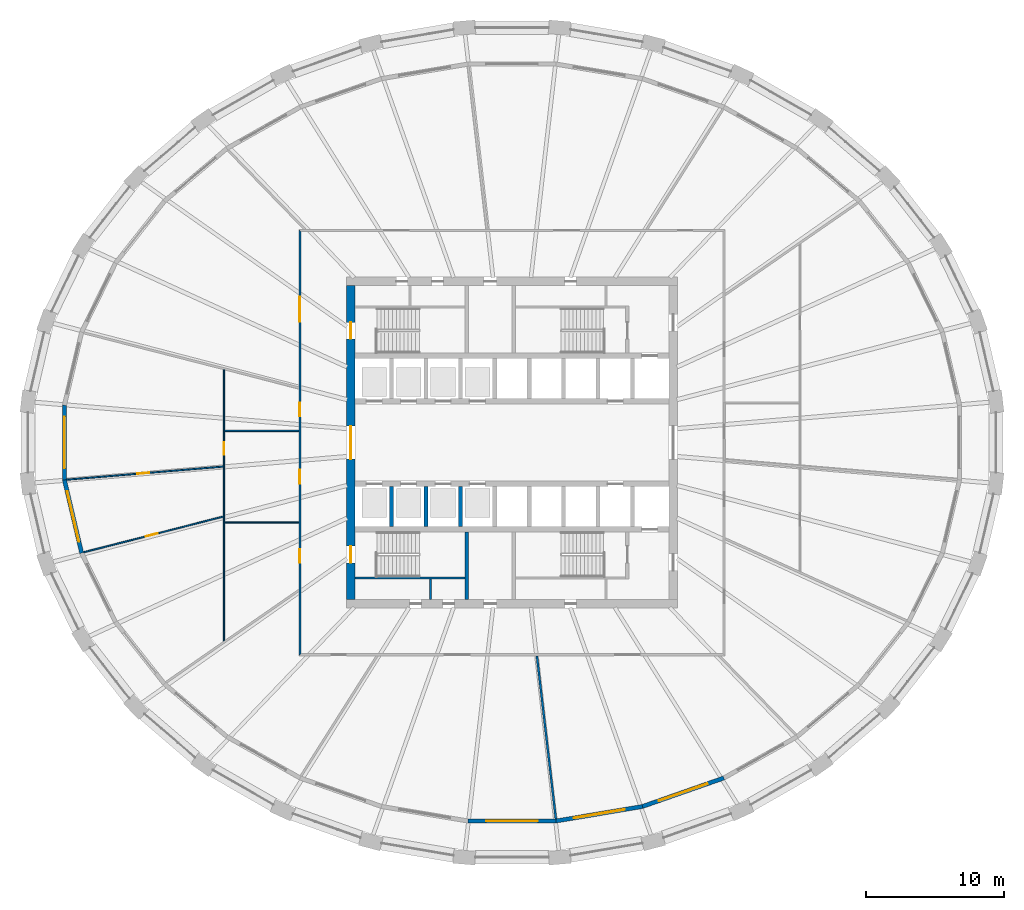
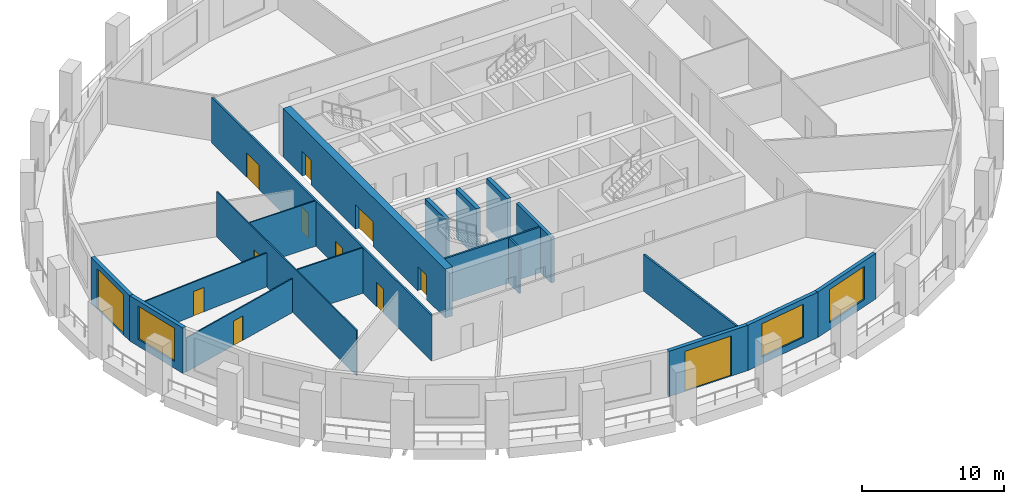
# One storey, part 3 of 10: 19 walls, 12 doors, 3 windows, 15 openings.
"""IFC4 building model written with IfcOpenShell, lengths in metres."""

from ifc_helpers import new_model, si_unit, direction, frame, frame_2d, origin, place, context, subcontext, project, spatial, polyline, rectangle, outline, extrude, material, layer, layer_set, type_object, element, fill, save


model = new_model("IFC4")

# Units and contexts
model_context = context("Model", 3, precision=1e-05, world=origin(), true_north=direction((0.0, 1.0)))
body_context = subcontext(model_context, "Body", "Model", "MODEL_VIEW")
ifc_project = project(units=[si_unit("LENGTHUNIT", "METRE"), si_unit("AREAUNIT", "SQUARE_METRE"), si_unit("VOLUMEUNIT", "CUBIC_METRE"), si_unit("PLANEANGLEUNIT", "RADIAN"), si_unit("MASSUNIT", "GRAM", prefix="KILO")], contexts=[model_context])

# Site, building, storey
site_placement = place(None, origin())
site = spatial("IfcSite", under=ifc_project, at=site_placement, CompositionType="ELEMENT")
building_placement = place(site_placement, origin())
building = spatial("IfcBuilding", under=site, at=building_placement, Name="Halqa Exchange Tower", CompositionType="ELEMENT")
storey_placement = place(building_placement, frame((0.0, 0.0, 108.699951171875)))
storey = spatial("IfcBuildingStorey", under=building, at=storey_placement, Name="L24", CompositionType="ELEMENT", Elevation=108.699951171875)

# Wall, openings, doors
ifc_material_1 = material(Name="Fire-rated gypsum board")
ifc_layer_1 = layer(ifc_material_1, 0.14990234375)
ifc_layer_set_1 = layer_set([ifc_layer_1], Name="Fire-rated gypsum board")
wall_type_1 = type_object("IfcWallType", Name="Fire partition EI 60 150", PredefinedType="PARTITIONING", material=ifc_layer_set_1)
wall_1_placement = place(storey_placement, frame((-15.39990234375, -15.47509765625, 0.0), z_axis=(0.0, 0.0, 1.0), x_axis=(0.0, 1.0, 0.0)))
wall_1 = element("IfcWall", 1, at=wall_1_placement, inside=storey, type_object=wall_type_1, Name="L24-PWL-008", PredefinedType="PARTITIONING", context=body_context, shape_type="SweptSolid", body=[
    extrude(outline(polyline([(0.150146484375, -0.074951171875), (2.065673828125, -0.074951171875), (3.9814453125, -0.074951171875), (5.89697265625, -0.074951171875), (7.8125, -0.074951171875), (9.728271484375, -0.074951171875), (11.643798828125, -0.074951171875), (13.5595703125, -0.074951171875), (15.47509765625, -0.074951171875), (17.390625, -0.074951171875), (19.306396484375, -0.074951171875), (21.221923828125, -0.074951171875), (23.1376953125, -0.074951171875), (25.05322265625, -0.074951171875), (26.96875, -0.074951171875), (28.884521484375, -0.074951171875), (30.800048828125, -0.074951171875), (30.949951171875, 0.074951171875), (29.015625, 0.074951171875), (27.081298828125, 0.074951171875), (25.14697265625, 0.074951171875), (23.21240234375, 0.074951171875), (21.278076171875, 0.074951171875), (19.34375, 0.074951171875), (17.409423828125, 0.074951171875), (15.47509765625, 0.074951171875), (13.540771484375, 0.074951171875), (11.6064453125, 0.074951171875), (9.672119140625, 0.074951171875), (7.73779296875, 0.074951171875), (5.80322265625, 0.074951171875), (3.868896484375, 0.074951171875), (1.9345703125, 0.074951171875), (0.000244140625, 0.074951171875), (0.150146484375, -0.074951171875)])), origin(), (0.0, 0.0, 1.0), 3.900146484375),
])
opening_1_placement = place(wall_1_placement, frame((24.25, 0.0, 0.0)))
opening_1 = element("IfcOpeningElement", 2, at=opening_1_placement, cuts=wall_1, Name="Opening 07-04", PredefinedType="OPENING", context=body_context, shape_type="SweptSolid", body=[
    extrude(rectangle(XDim=1.800048828125, YDim=2.10009765625, at=frame_2d((0.89990234375, 1.050048828125))), frame((0.0, 0.0869140625, 0.0), z_axis=(0.0, -1.0, 0.0), x_axis=(1.0, 0.0, 0.0)), (0.0, 0.0, 1.0), 0.173828125),
])
opening_2_placement = place(wall_1_placement, frame((6.735107421875, 0.0, 0.0)))
opening_2 = element("IfcOpeningElement", 3, at=opening_2_placement, cuts=wall_1, Name="Opening 07-05", PredefinedType="OPENING", context=body_context, shape_type="SweptSolid", body=[
    extrude(rectangle(XDim=1.0, YDim=2.10009765625, at=frame_2d((0.5, 1.050048828125))), frame((0.0, 0.0869140625, 0.0), z_axis=(0.0, -1.0, 0.0), x_axis=(1.0, 0.0, 0.0)), (0.0, 0.0, 1.0), 0.173828125),
])
opening_3_placement = place(wall_1_placement, frame((12.5, 0.0, 0.0)))
opening_3 = element("IfcOpeningElement", 4, at=opening_3_placement, cuts=wall_1, Name="Opening 07-06", PredefinedType="OPENING", context=body_context, shape_type="SweptSolid", body=[
    extrude(rectangle(XDim=1.0, YDim=2.10009765625, at=frame_2d((0.5, 1.050048828125))), frame((0.0, 0.0869140625, 0.0), z_axis=(0.0, -1.0, 0.0), x_axis=(1.0, 0.0, 0.0)), (0.0, 0.0, 1.0), 0.173828125),
])
opening_4_placement = place(wall_1_placement, frame((17.375, 0.0, 0.0)))
opening_4 = element("IfcOpeningElement", 5, at=opening_4_placement, cuts=wall_1, Name="Opening 07-07", PredefinedType="OPENING", context=body_context, shape_type="SweptSolid", body=[
    extrude(rectangle(XDim=1.0, YDim=2.10009765625, at=frame_2d((0.5, 1.050048828125))), frame((0.0, 0.0869140625, 0.0), z_axis=(0.0, -1.0, 0.0), x_axis=(1.0, 0.0, 0.0)), (0.0, 0.0, 1.0), 0.173828125),
])
ifc_material_2 = material(Name="Steel fire door leaf", Category="steel")
door_type_1 = type_object("IfcDoorType", Name="Fire door FD30S 1000 x 2100", OperationType="SINGLE_SWING_LEFT", PredefinedType="DOOR", material=ifc_material_2)
door_1_placement = place(opening_2_placement, origin())
door_1 = element("IfcDoor", 6, at=door_1_placement, inside=storey, type_object=door_type_1, Name="L24-IDR-005", OperationType="SINGLE_SWING_RIGHT", OverallHeight=2.10009765625, OverallWidth=1.0, PredefinedType="DOOR", context=body_context, shape_type="SweptSolid", body=[
    extrude(rectangle(XDim=1.0, YDim=2.10009765625, at=frame_2d((0.5, 1.050048828125))), frame((0.0, 0.02490234375, 0.0), z_axis=(0.0, -1.0, 0.0), x_axis=(1.0, 0.0, 0.0)), (0.0, 0.0, 1.0), 0.050048828125),
])
fill(opening_2, door_1)
door_2_placement = place(opening_3_placement, origin())
door_2 = element("IfcDoor", 7, at=door_2_placement, inside=storey, type_object=door_type_1, Name="L24-IDR-006", OperationType="SINGLE_SWING_RIGHT", OverallHeight=2.10009765625, OverallWidth=1.0, PredefinedType="DOOR", context=body_context, shape_type="SweptSolid", body=[
    extrude(rectangle(XDim=1.0, YDim=2.10009765625, at=frame_2d((0.5, 1.050048828125))), frame((0.0, 0.02490234375, 0.0), z_axis=(0.0, -1.0, 0.0), x_axis=(1.0, 0.0, 0.0)), (0.0, 0.0, 1.0), 0.050048828125),
])
fill(opening_3, door_2)
door_3_placement = place(opening_4_placement, origin())
door_3 = element("IfcDoor", 8, at=door_3_placement, inside=storey, type_object=door_type_1, Name="L24-IDR-007", OperationType="SINGLE_SWING_RIGHT", OverallHeight=2.10009765625, OverallWidth=1.0, PredefinedType="DOOR", context=body_context, shape_type="SweptSolid", body=[
    extrude(rectangle(XDim=1.0, YDim=2.10009765625, at=frame_2d((0.5, 1.050048828125))), frame((0.0, 0.02490234375, 0.0), z_axis=(0.0, -1.0, 0.0), x_axis=(1.0, 0.0, 0.0)), (0.0, 0.0, 1.0), 0.050048828125),
])
fill(opening_4, door_3)
door_type_2 = type_object("IfcDoorType", Name="Fire door FD30S double 1800 x 2100", OperationType="DOUBLE_DOOR_SINGLE_SWING", PredefinedType="DOOR", material=ifc_material_2)
door_4_placement = place(opening_1_placement, origin())
door_4 = element("IfcDoor", 9, at=door_4_placement, inside=storey, type_object=door_type_2, Name="L24-IDR-004", OperationType="DOUBLE_DOOR_SINGLE_SWING", OverallHeight=2.10009765625, OverallWidth=1.800048828125, PredefinedType="DOOR", context=body_context, shape_type="SweptSolid", body=[
    extrude(rectangle(XDim=1.800048828125, YDim=2.10009765625, at=frame_2d((0.89990234375, 1.050048828125))), frame((0.0, 0.02490234375, 0.0), z_axis=(0.0, -1.0, 0.0), x_axis=(1.0, 0.0, 0.0)), (0.0, 0.0, 1.0), 0.050048828125),
])
fill(opening_1, door_4)

# Wall
wall_2_placement = place(storey_placement, frame((1.8076171875, -15.466552734375, 0.0), z_axis=(0.0, 0.0, 1.0), x_axis=(0.115425226741, -0.993316171736, 0.0)))
element("IfcWall", 10, at=wall_2_placement, inside=storey, type_object=wall_type_1, Name="L24-PWL-014", PredefinedType="PARTITIONING", context=body_context, shape_type="SweptSolid", body=[
    extrude(outline(polyline([(0.0, -0.074951171875), (1.98681640625, -0.074951171875), (3.973388671875, -0.074951171875), (5.960205078125, -0.074951171875), (7.947021484375, -0.074951171875), (9.93359375, -0.074951171875), (11.92041015625, -0.074951171875), (11.925048828125, -0.03466796875), (11.925048828125, 0.074951171875), (9.9404296875, 0.074951171875), (7.955810546875, 0.074951171875), (5.97119140625, 0.074951171875), (3.986572265625, 0.074951171875), (2.001953125, 0.074951171875), (0.017333984375, 0.074951171875), (0.0, -0.0732421875), (0.0, -0.074951171875)])), origin(), (0.0, 0.0, 1.0), 3.14697265625),
])

# Wall, opening, door
ifc_material_3 = material(Name="Gypsum board")
ifc_layer_2 = layer(ifc_material_3, 0.10009765625)
ifc_layer_set_2 = layer_set([ifc_layer_2], Name="Gypsum board")
wall_type_2 = type_object("IfcWallType", Name="Partition 100 gypsum", PredefinedType="PARTITIONING", material=ifc_layer_set_2)
wall_3_placement = place(storey_placement, frame((-20.89990234375, -14.43359375, 0.0), z_axis=(0.0, 0.0, 1.0), x_axis=(0.0, 1.0, 0.0)))
wall_3 = element("IfcWall", 11, at=wall_3_placement, inside=storey, type_object=wall_type_2, Name="L24-PWL-003", PredefinedType="PARTITIONING", context=body_context, shape_type="SweptSolid", body=[
    extrude(outline(polyline([(0.0693359375, -0.050048828125), (1.772216796875, -0.050048828125), (3.47509765625, -0.050048828125), (5.177978515625, -0.050048828125), (6.880859375, -0.050048828125), (8.58349609375, -0.050048828125), (8.58349609375, -0.0498046875), (8.68359375, -0.0498046875), (8.68359375, -0.050048828125), (10.321044921875, -0.050048828125), (11.95849609375, -0.050048828125), (13.59619140625, -0.050048828125), (15.233642578125, -0.050048828125), (15.233642578125, -0.0498046875), (15.33349609375, -0.0498046875), (15.33349609375, -0.050048828125), (16.789306640625, -0.050048828125), (18.2451171875, -0.050048828125), (19.701171875, -0.050048828125), (19.7265625, 0.049560546875), (19.7265625, 0.050048828125), (17.941650390625, 0.050048828125), (16.156494140625, 0.050048828125), (14.37158203125, 0.050048828125), (12.586669921875, 0.050048828125), (10.801513671875, 0.050048828125), (9.0166015625, 0.050048828125), (9.009765625, 0.04833984375), (9.00927734375, 0.050048828125), (7.20751953125, 0.050048828125), (5.405517578125, 0.050048828125), (3.603759765625, 0.050048828125), (1.8017578125, 0.050048828125), (0.0, 0.050048828125), (0.0693359375, -0.050048828125)])), origin(), (0.0, 0.0, 1.0), 3.900146484375),
])
opening_5_placement = place(wall_3_placement, frame((13.53857421875, 0.0, 0.0)))
opening_5 = element("IfcOpeningElement", 12, at=opening_5_placement, cuts=wall_3, Name="Opening 07-15", PredefinedType="OPENING", context=body_context, shape_type="SweptSolid", body=[
    extrude(rectangle(XDim=0.89990234375, YDim=2.10009765625, at=frame_2d((0.449951171875, 1.050048828125))), frame((0.0, 0.06201171875, 0.0), z_axis=(0.0, -1.0, 0.0), x_axis=(1.0, 0.0, 0.0)), (0.0, 0.0, 1.0), 0.1240234375),
])
ifc_material_4 = material(Name="Timber door leaf", Category="wood")
door_type_3 = type_object("IfcDoorType", Name="Door 900 x 2100", OperationType="SINGLE_SWING_LEFT", PredefinedType="DOOR", material=ifc_material_4)
door_5_placement = place(opening_5_placement, frame((0.89990234375, 0.0, 0.0), z_axis=(0.0, 0.0, 1.0), x_axis=(-1.0, 0.0, 0.0)))
door_5 = element("IfcDoor", 13, at=door_5_placement, inside=storey, type_object=door_type_3, Name="L24-IDR-015", OperationType="SINGLE_SWING_RIGHT", OverallHeight=2.10009765625, OverallWidth=0.89990234375, PredefinedType="DOOR", context=body_context, shape_type="SweptSolid", body=[
    extrude(rectangle(XDim=0.89990234375, YDim=2.10009765625, at=frame_2d((0.449951171875, 1.050048828125))), frame((0.0, 0.02490234375, 0.0), z_axis=(0.0, -1.0, 0.0), x_axis=(1.0, 0.0, 0.0)), (0.0, 0.0, 1.0), 0.050048828125),
])
fill(opening_5, door_5)

# Wall
wall_4_placement = place(storey_placement, frame((-20.85009765625, -5.800048828125, 0.0), z_axis=(0.0, 0.0, 1.0), x_axis=(1.0, 0.0, 0.0)))
element("IfcWall", 14, at=wall_4_placement, inside=storey, type_object=wall_type_2, Name="L24-PWL-004", PredefinedType="PARTITIONING", context=body_context, shape_type="SweptSolid", body=[
    extrude(rectangle(XDim=5.375, YDim=0.10009765625, at=frame_2d((2.6875, 0.0))), origin(), (0.0, 0.0, 1.0), 3.900146484375),
])

# Wall, opening, door
wall_5_placement = place(storey_placement, frame((-20.937744140625, -5.36962890625, 0.0), z_axis=(0.0, 0.0, 1.0), x_axis=(-0.968822345516, -0.247756458702, 0.0)))
wall_5 = element("IfcWall", 15, at=wall_5_placement, inside=storey, type_object=wall_type_2, Name="L24-PWL-005", PredefinedType="PARTITIONING", context=body_context, shape_type="SweptSolid", body=[
    extrude(outline(polyline([(10.478759765625, -0.050048828125), (10.478759765625, 0.00732421875), (10.469970703125, 0.050048828125), (8.72900390625, 0.050048828125), (6.98828125, 0.050048828125), (5.24755859375, 0.050048828125), (3.5068359375, 0.050048828125), (1.76611328125, 0.050048828125), (0.025390625, 0.050048828125), (0.0, -0.049560546875), (0.0, -0.050048828125), (1.74658203125, -0.050048828125), (3.492919921875, -0.050048828125), (5.2392578125, -0.050048828125), (6.98583984375, -0.050048828125), (8.732421875, -0.050048828125), (10.478759765625, -0.050048828125)])), origin(), (0.0, 0.0, 1.0), 2.91015625),
])
opening_6_placement = place(wall_5_placement, frame((4.919677734375, 0.0, 0.0)))
opening_6 = element("IfcOpeningElement", 16, at=opening_6_placement, cuts=wall_5, Name="Opening 07-17", PredefinedType="OPENING", context=body_context, shape_type="SweptSolid", body=[
    extrude(rectangle(XDim=0.89990234375, YDim=2.10009765625, at=frame_2d((0.449951171875, 1.050048828125))), frame((0.0, 0.06201171875, 0.0), z_axis=(0.0, -1.0, 0.0), x_axis=(1.0, 0.0, 0.0)), (0.0, 0.0, 1.0), 0.1240234375),
])
door_6_placement = place(opening_6_placement, frame((0.89990234375, 0.0, 0.0), z_axis=(0.0, 0.0, 1.0), x_axis=(-1.0, 0.0, 0.0)))
door_6 = element("IfcDoor", 17, at=door_6_placement, inside=storey, type_object=door_type_3, Name="L24-IDR-017", OperationType="SINGLE_SWING_RIGHT", OverallHeight=2.10009765625, OverallWidth=0.89990234375, PredefinedType="DOOR", context=body_context, shape_type="SweptSolid", body=[
    extrude(rectangle(XDim=0.89990234375, YDim=2.10009765625, at=frame_2d((0.449951171875, 1.050048828125))), frame((0.0, 0.02490234375, 0.0), z_axis=(0.0, -1.0, 0.0), x_axis=(1.0, 0.0, 0.0)), (0.0, 0.0, 1.0), 0.050048828125),
])
fill(opening_6, door_6)

wall_6_placement = place(storey_placement, frame((-20.94580078125, -1.743896484375, 0.0), z_axis=(0.0, 0.0, 1.0), x_axis=(-0.996528638139, -0.083250665871, 0.0)))
wall_6 = element("IfcWall", 18, at=wall_6_placement, inside=storey, type_object=wall_type_2, Name="L24-PWL-006", PredefinedType="PARTITIONING", context=body_context, shape_type="SweptSolid", body=[
    extrude(outline(polyline([(11.42236328125, -0.050048828125), (11.42236328125, 0.0234375), (11.41845703125, 0.050048828125), (9.5166015625, 0.050048828125), (7.614990234375, 0.050048828125), (5.71337890625, 0.050048828125), (3.811767578125, 0.050048828125), (1.91015625, 0.050048828125), (0.00830078125, 0.050048828125), (0.0, -0.050048828125), (1.90380859375, -0.050048828125), (3.807373046875, -0.050048828125), (5.711181640625, -0.050048828125), (7.614990234375, -0.050048828125), (9.5185546875, -0.050048828125), (11.42236328125, -0.050048828125)])), origin(), (0.0, 0.0, 1.0), 2.91015625),
])
opening_7_placement = place(wall_6_placement, frame((5.389404296875, 0.0, 0.0)))
opening_7 = element("IfcOpeningElement", 19, at=opening_7_placement, cuts=wall_6, Name="Opening 07-16", PredefinedType="OPENING", context=body_context, shape_type="SweptSolid", body=[
    extrude(rectangle(XDim=0.89990234375, YDim=2.10009765625, at=frame_2d((0.449951171875, 1.050048828125))), frame((0.0, 0.06201171875, 0.0), z_axis=(0.0, -1.0, 0.0), x_axis=(1.0, 0.0, 0.0)), (0.0, 0.0, 1.0), 0.1240234375),
])
door_7_placement = place(opening_7_placement, origin())
door_7 = element("IfcDoor", 20, at=door_7_placement, inside=storey, type_object=door_type_3, Name="L24-IDR-016", OperationType="SINGLE_SWING_LEFT", OverallHeight=2.10009765625, OverallWidth=0.89990234375, PredefinedType="DOOR", context=body_context, shape_type="SweptSolid", body=[
    extrude(rectangle(XDim=0.89990234375, YDim=2.10009765625, at=frame_2d((0.449951171875, 1.050048828125))), frame((0.0, 0.02490234375, 0.0), z_axis=(0.0, -1.0, 0.0), x_axis=(1.0, 0.0, 0.0)), (0.0, 0.0, 1.0), 0.050048828125),
])
fill(opening_7, door_7)

# Walls
wall_7_placement = place(storey_placement, frame((-20.85009765625, 0.85009765625, 0.0), z_axis=(0.0, 0.0, 1.0), x_axis=(1.0, 0.0, 0.0)))
element("IfcWall", 21, at=wall_7_placement, inside=storey, type_object=wall_type_2, Name="L24-PWL-007", PredefinedType="PARTITIONING", context=body_context, shape_type="SweptSolid", body=[
    extrude(rectangle(XDim=5.375, YDim=0.10009765625, at=frame_2d((2.6875, 0.0))), origin(), (0.0, 0.0, 1.0), 3.900146484375),
])
ifc_layer_3 = layer(ifc_material_3, 0.14990234375)
ifc_layer_set_3 = layer_set([ifc_layer_3], Name="Gypsum board")
wall_type_3 = type_object("IfcWallType", Name="Penthouse riser wall 150 gypsum", PredefinedType="PARTITIONING", material=ifc_layer_set_3)
wall_8_placement = place(storey_placement, frame((-5.925048828125, -11.39990234375, 0.0), z_axis=(0.0, 0.0, 1.0), x_axis=(0.0, 1.0, 0.0)))
element("IfcWall", 22, at=wall_8_placement, inside=storey, type_object=wall_type_3, Name="Partition W5.925 S", PredefinedType="PARTITIONING", context=body_context, shape_type="SweptSolid", body=[
    extrude(rectangle(XDim=1.5, YDim=0.14990234375, at=frame_2d((0.75, 0.0))), origin(), (0.0, 0.0, 1.0), 3.900146484375),
])
ifc_material_5 = material(Name="Concrete C60/75", Category="concrete")
ifc_layer_4 = layer(ifc_material_5, 0.300048828125)
ifc_layer_set_4 = layer_set([ifc_layer_4], Name="Concrete C60/75")
wall_type_4 = type_object("IfcWallType", Name="RC core wall 300", PredefinedType="SHEAR", material=ifc_layer_set_4)
for number, where, z_axis, x_axis, name in (
    (23, (-8.75, -6.10009765625, 0.0), (0.0, 0.0, 1.0), (0.0, 1.0, 0.0), "Shaft divider S1"),
    (24, (-6.25, -6.10009765625, 0.0), (0.0, 0.0, 1.0), (0.0, 1.0, 0.0), "Shaft divider S2"),
    (25, (-3.75, -6.10009765625, 0.0), (0.0, 0.0, 1.0), (0.0, 1.0, 0.0), "Shaft divider S3"),
):
    element("IfcWall", number, at=place(storey_placement, frame(where, z_axis=z_axis, x_axis=x_axis)), inside=storey, type_object=wall_type_4, Name=name, PredefinedType="SHEAR", context=body_context, shape_type="SweptSolid", body=[
        extrude(rectangle(XDim=2.900146484375, YDim=0.300048828125, at=frame_2d((1.4501953125, 0.0))), origin(), (0.0, 0.0, 1.0), 4.199951171875),
    ])

# Wall, openings, doors
ifc_material_6 = material(Name="Concrete C70/85", Category="concrete")
ifc_layer_5 = layer(ifc_material_6, 0.60009765625)
ifc_layer_set_5 = layer_set([ifc_layer_5], Name="Concrete C70/85")
wall_type_5 = type_object("IfcWallType", Name="RC core wall 600 C70/85", PredefinedType="SHEAR", material=ifc_layer_set_5)
wall_9_placement = place(storey_placement, frame((-11.699951171875, -11.39990234375, 0.0), z_axis=(0.0, 0.0, 1.0), x_axis=(0.0, 1.0, 0.0)))
wall_9 = element("IfcWall", 26, at=wall_9_placement, inside=storey, type_object=wall_type_5, Name="Core wall west", PredefinedType="SHEAR", context=body_context, shape_type="SweptSolid", body=[
    extrude(rectangle(XDim=22.7998046875, YDim=0.60009765625, at=frame_2d((11.39990234375, 0.0))), origin(), (0.0, 0.0, 1.0), 4.199951171875),
])
opening_8_placement = place(wall_9_placement, frame((10.199951171875, 0.0, 0.0)))
opening_8 = element("IfcOpeningElement", 27, at=opening_8_placement, cuts=wall_9, Name="Opening T07-C13", PredefinedType="OPENING", context=body_context, shape_type="SweptSolid", body=[
    extrude(rectangle(XDim=2.39990234375, YDim=2.10009765625, at=frame_2d((1.199951171875, 1.050048828125))), frame((0.0, 0.31201171875, 0.0), z_axis=(0.0, -1.0, 0.0), x_axis=(1.0, 0.0, 0.0)), (0.0, 0.0, 1.0), 0.6240234375),
])
opening_9_placement = place(wall_9_placement, frame((18.925048828125, 0.0, 0.0)))
opening_9 = element("IfcOpeningElement", 28, at=opening_9_placement, cuts=wall_9, Name="Opening T07-C15", PredefinedType="OPENING", context=body_context, shape_type="SweptSolid", body=[
    extrude(rectangle(XDim=1.199951171875, YDim=2.10009765625, at=frame_2d((0.60009765625, 1.050048828125))), frame((0.0, 0.31201171875, 0.0), z_axis=(0.0, -1.0, 0.0), x_axis=(1.0, 0.0, 0.0)), (0.0, 0.0, 1.0), 0.6240234375),
])
opening_10_placement = place(wall_9_placement, frame((2.675048828125, 0.0, 0.0)))
opening_10 = element("IfcOpeningElement", 29, at=opening_10_placement, cuts=wall_9, Name="Opening T07-C17", PredefinedType="OPENING", context=body_context, shape_type="SweptSolid", body=[
    extrude(rectangle(XDim=1.199951171875, YDim=2.10009765625, at=frame_2d((0.60009765625, 1.050048828125))), frame((0.0, 0.31201171875, 0.0), z_axis=(0.0, -1.0, 0.0), x_axis=(1.0, 0.0, 0.0)), (0.0, 0.0, 1.0), 0.6240234375),
])
door_type_4 = type_object("IfcDoorType", Name="Lobby double door FD60 2400 x 2100", OperationType="DOUBLE_DOOR_SINGLE_SWING", PredefinedType="DOOR", material=ifc_material_2)
door_8_placement = place(opening_8_placement, frame((2.39990234375, 0.0, 0.0), z_axis=(0.0, 0.0, 1.0), x_axis=(-1.0, 0.0, 0.0)))
door_8 = element("IfcDoor", 30, at=door_8_placement, inside=storey, type_object=door_type_4, Name="Lift lobby double door", OperationType="DOUBLE_DOOR_SINGLE_SWING", OverallHeight=2.10009765625, OverallWidth=2.39990234375, PredefinedType="DOOR", context=body_context, shape_type="SweptSolid", body=[
    extrude(rectangle(XDim=2.39990234375, YDim=2.10009765625, at=frame_2d((1.199951171875, 1.050048828125))), frame((0.0, 0.02490234375, 0.0), z_axis=(0.0, -1.0, 0.0), x_axis=(1.0, 0.0, 0.0)), (0.0, 0.0, 1.0), 0.050048828125),
])
fill(opening_8, door_8)
door_type_5 = type_object("IfcDoorType", Name="Stair door FD90 1200 x 2100", OperationType="SINGLE_SWING_LEFT", PredefinedType="DOOR", material=ifc_material_2)
door_9_placement = place(opening_9_placement, frame((1.199951171875, 0.0, 0.0), z_axis=(0.0, 0.0, 1.0), x_axis=(-1.0, 0.0, 0.0)))
door_9 = element("IfcDoor", 31, at=door_9_placement, inside=storey, type_object=door_type_5, Name="Stair door ST1", OperationType="SINGLE_SWING_LEFT", OverallHeight=2.10009765625, OverallWidth=1.199951171875, PredefinedType="DOOR", context=body_context, shape_type="SweptSolid", body=[
    extrude(rectangle(XDim=1.199951171875, YDim=2.10009765625, at=frame_2d((0.60009765625, 1.050048828125))), frame((0.0, 0.02490234375, 0.0), z_axis=(0.0, -1.0, 0.0), x_axis=(1.0, 0.0, 0.0)), (0.0, 0.0, 1.0), 0.050048828125),
])
fill(opening_9, door_9)
door_10_placement = place(opening_10_placement, frame((1.199951171875, 0.0, 0.0), z_axis=(0.0, 0.0, 1.0), x_axis=(-1.0, 0.0, 0.0)))
door_10 = element("IfcDoor", 32, at=door_10_placement, inside=storey, type_object=door_type_5, Name="Stair door ST3", OperationType="SINGLE_SWING_LEFT", OverallHeight=2.10009765625, OverallWidth=1.199951171875, PredefinedType="DOOR", context=body_context, shape_type="SweptSolid", body=[
    extrude(rectangle(XDim=1.199951171875, YDim=2.10009765625, at=frame_2d((0.60009765625, 1.050048828125))), frame((0.0, 0.02490234375, 0.0), z_axis=(0.0, -1.0, 0.0), x_axis=(1.0, 0.0, 0.0)), (0.0, 0.0, 1.0), 0.050048828125),
])
fill(opening_10, door_10)

# Walls
ifc_material_7 = material(Name="Concrete C30/37", Category="concrete")
ifc_layer_6 = layer(ifc_material_7, 0.14990234375)
ifc_layer_set_6 = layer_set([ifc_layer_6], Name="Concrete C30/37")
wall_type_6 = type_object("IfcWallType", Name="RC stair wall 150 C30/37", PredefinedType="SHEAR", material=ifc_layer_set_6)
wall_10_placement = place(storey_placement, frame((-11.39990234375, -9.824951171875, 0.0), z_axis=(0.0, 0.0, 1.0), x_axis=(1.0, 0.0, 0.0)))
element("IfcWall", 33, at=wall_10_placement, inside=storey, type_object=wall_type_6, Name="Stair ST1 north wall S", PredefinedType="SHEAR", context=body_context, shape_type="SweptSolid", body=[
    extrude(rectangle(XDim=8.0, YDim=0.14990234375, at=frame_2d((4.0, 0.0))), origin(), (0.0, 0.0, 1.0), 3.900146484375),
])
ifc_layer_7 = layer(ifc_material_7, 0.25)
ifc_layer_set_7 = layer_set([ifc_layer_7], Name="Concrete C30/37")
wall_type_7 = type_object("IfcWallType", Name="RC stair wall 250 C30/37", PredefinedType="SHEAR", material=ifc_layer_set_7)
wall_11_placement = place(storey_placement, frame((-3.27490234375, -11.39990234375, 0.0), z_axis=(0.0, 0.0, 1.0), x_axis=(0.0, 1.0, 0.0)))
element("IfcWall", 34, at=wall_11_placement, inside=storey, type_object=wall_type_7, Name="Stair ST1 east wall S", PredefinedType="SHEAR", context=body_context, shape_type="SweptSolid", body=[
    extrude(rectangle(XDim=4.89990234375, YDim=0.25, at=frame_2d((2.449951171875, 0.0))), origin(), (0.0, 0.0, 1.0), 3.900146484375),
])

# Wall, opening, door
ifc_material_8 = material(Name="Limestone cladding", Category="masonry")
ifc_layer_8 = layer(ifc_material_8, 0.0400390625)
ifc_material_9 = material(Name="Ventilated cavity")
ifc_layer_9 = layer(ifc_material_9, 0.030029296875, ventilated=True)
ifc_material_10 = material(Name="Mineral wool insulation")
ifc_layer_10 = layer(ifc_material_10, 0.10009765625)
ifc_layer_11 = layer(ifc_material_7, 0.10009765625)
ifc_material_11 = material(Name="Internal plaster")
ifc_layer_12 = layer(ifc_material_11, 0.030029296875)
ifc_layer_set_8 = layer_set([ifc_layer_8, ifc_layer_9, ifc_layer_10, ifc_layer_11, ifc_layer_12], Name="Stone-faced insulated wall 300")
wall_type_8 = type_object("IfcWallType", Name="Stone-faced insulated wall 300", PredefinedType="STANDARD", material=ifc_layer_set_8)
wall_12_placement = place(storey_placement, frame((-32.483154296875, 2.707763671875, 0.0), z_axis=(0.0, 0.0, 1.0), x_axis=(0.0, -1.0, 0.0)))
wall_12 = element("IfcWall", 35, at=wall_12_placement, inside=storey, type_object=wall_type_8, Name="Glass-line wall 16", PredefinedType="STANDARD", context=body_context, shape_type="SweptSolid", body=[
    extrude(outline(polyline([(-0.017333984375, -0.14990234375), (5.432861328125, -0.14990234375), (5.398193359375, 0.14990234375), (0.017333984375, 0.14990234375), (-0.017333984375, -0.14990234375)])), origin(), (0.0, 0.0, 1.0), 3.900146484375),
])
opening_11_placement = place(wall_12_placement, frame((0.832763671875, 0.0, 0.0)))
opening_11 = element("IfcOpeningElement", 36, at=opening_11_placement, cuts=wall_12, Name="Opening LG-F2-04", PredefinedType="OPENING", context=body_context, shape_type="SweptSolid", body=[
    extrude(rectangle(XDim=3.75, YDim=3.449951171875, at=frame_2d((1.875, 1.72509765625))), frame((0.0, 0.162109375, 0.0), z_axis=(0.0, -1.0, 0.0), x_axis=(1.0, 0.0, 0.0)), (0.0, 0.0, 1.0), 0.323974609375),
])
ifc_material_12 = material(Name="Clear low-emissivity glass in aluminium frame", Category="aluminium")
door_type_6 = type_object("IfcDoorType", Name="Glazed sliding loggia door 3750 x 3450", OperationType="DOUBLE_DOOR_SLIDING", PredefinedType="DOOR", material=ifc_material_12)
door_11_placement = place(opening_11_placement, origin())
door_11 = element("IfcDoor", 37, at=door_11_placement, inside=storey, type_object=door_type_6, Name="Loggia door 4", OperationType="DOUBLE_DOOR_SLIDING", OverallHeight=3.449951171875, OverallWidth=3.75, PredefinedType="DOOR", context=body_context, shape_type="SweptSolid", body=[
    extrude(rectangle(XDim=3.75, YDim=3.449951171875, at=frame_2d((1.875, 1.72509765625))), frame((0.0, 0.02490234375, 0.0), z_axis=(0.0, -1.0, 0.0), x_axis=(1.0, 0.0, 0.0)), (0.0, 0.0, 1.0), 0.050048828125),
])
fill(opening_11, door_11)

# Wall, opening, window
wall_13_placement = place(storey_placement, frame((-32.483154296875, -2.707763671875, 0.0), z_axis=(0.0, 0.0, 1.0), x_axis=(0.229193964616, -0.973380771632, 0.0)))
wall_13 = element("IfcWall", 38, at=wall_13_placement, inside=storey, type_object=wall_type_8, Name="Glass-line wall 17", PredefinedType="STANDARD", context=body_context, shape_type="SweptSolid", body=[
    extrude(outline(polyline([(-0.017333984375, -0.14990234375), (5.472900390625, -0.14990234375), (5.439208984375, 0.14990234375), (0.017333984375, 0.14990234375), (-0.017333984375, -0.14990234375)])), origin(), (0.0, 0.0, 1.0), 3.900146484375),
])
opening_12_placement = place(wall_13_placement, frame((0.85302734375, 0.0, 0.60009765625)))
opening_12 = element("IfcOpeningElement", 39, at=opening_12_placement, cuts=wall_13, Name="Opening W-F2-17", PredefinedType="OPENING", context=body_context, shape_type="SweptSolid", body=[
    extrude(rectangle(XDim=3.75, YDim=2.85009765625, at=frame_2d((1.875, 1.425048828125))), frame((0.0, 0.162109375, 0.0), z_axis=(0.0, -1.0, 0.0), x_axis=(1.0, 0.0, 0.0)), (0.0, 0.0, 1.0), 0.323974609375),
])
window_type = type_object("IfcWindowType", Name="Fixed clear glazed window 3750 x 2850", PartitioningType="TRIPLE_PANEL_VERTICAL", PredefinedType="WINDOW", material=ifc_material_12)
window_1_placement = place(opening_12_placement, origin())
window_1 = element("IfcWindow", 40, at=window_1_placement, inside=storey, type_object=window_type, Name="Window 2", OverallHeight=2.85009765625, OverallWidth=3.75, PartitioningType="TRIPLE_PANEL_VERTICAL", PredefinedType="WINDOW", context=body_context, shape_type="SweptSolid", body=[
    extrude(rectangle(XDim=3.75, YDim=2.85009765625, at=frame_2d((1.875, 1.425048828125))), frame((0.0, 0.030029296875, 0.0), z_axis=(0.0, -1.0, 0.0), x_axis=(1.0, 0.0, 0.0)), (0.0, 0.0, 1.0), 0.06005859375),
])
fill(opening_12, window_1)

# Wall, opening, door
wall_14_placement = place(storey_placement, frame((-3.197021484375, -27.4658203125, 0.0), z_axis=(0.0, 0.0, 1.0), x_axis=(1.0, 0.0, 0.0)))
wall_14 = element("IfcWall", 41, at=wall_14_placement, inside=storey, type_object=wall_type_8, Name="Glass-line wall 24", PredefinedType="STANDARD", context=body_context, shape_type="SweptSolid", body=[
    extrude(outline(polyline([(-0.012451171875, -0.14990234375), (6.406494140625, -0.14990234375), (6.381591796875, 0.14990234375), (0.012451171875, 0.14990234375), (-0.012451171875, -0.14990234375)])), origin(), (0.0, 0.0, 1.0), 3.900146484375),
])
opening_13_placement = place(wall_14_placement, frame((1.322021484375, 0.0, 0.0)))
opening_13 = element("IfcOpeningElement", 42, at=opening_13_placement, cuts=wall_14, Name="Opening LG-F2-06", PredefinedType="OPENING", context=body_context, shape_type="SweptSolid", body=[
    extrude(rectangle(XDim=3.75, YDim=3.449951171875, at=frame_2d((1.875, 1.72509765625))), frame((0.0, 0.162109375, 0.0), z_axis=(0.0, -1.0, 0.0), x_axis=(1.0, 0.0, 0.0)), (0.0, 0.0, 1.0), 0.323974609375),
])
door_12_placement = place(opening_13_placement, origin())
door_12 = element("IfcDoor", 43, at=door_12_placement, inside=storey, type_object=door_type_6, Name="Loggia door 6", OperationType="DOUBLE_DOOR_SLIDING", OverallHeight=3.449951171875, OverallWidth=3.75, PredefinedType="DOOR", context=body_context, shape_type="SweptSolid", body=[
    extrude(rectangle(XDim=3.75, YDim=3.449951171875, at=frame_2d((1.875, 1.72509765625))), frame((0.0, 0.02490234375, 0.0), z_axis=(0.0, -1.0, 0.0), x_axis=(1.0, 0.0, 0.0)), (0.0, 0.0, 1.0), 0.050048828125),
])
fill(opening_13, door_12)

# Wall, opening, window
wall_15_placement = place(storey_placement, frame((3.197021484375, -27.4658203125, 0.0), z_axis=(0.0, 0.0, 1.0), x_axis=(0.986178310488, 0.165687476666, 0.0)))
wall_15 = element("IfcWall", 44, at=wall_15_placement, inside=storey, type_object=wall_type_8, Name="Glass-line wall 25", PredefinedType="STANDARD", context=body_context, shape_type="SweptSolid", body=[
    extrude(outline(polyline([(-0.012451171875, -0.14990234375), (6.372314453125, -0.14990234375), (6.346923828125, 0.14990234375), (0.012451171875, 0.14990234375), (-0.012451171875, -0.14990234375)])), origin(), (0.0, 0.0, 1.0), 3.900146484375),
])
opening_14_placement = place(wall_15_placement, frame((1.3046875, 0.0, 0.60009765625)))
opening_14 = element("IfcOpeningElement", 45, at=opening_14_placement, cuts=wall_15, Name="Opening W-F2-25", PredefinedType="OPENING", context=body_context, shape_type="SweptSolid", body=[
    extrude(rectangle(XDim=3.75, YDim=2.85009765625, at=frame_2d((1.875, 1.425048828125))), frame((0.0, 0.162109375, 0.0), z_axis=(0.0, -1.0, 0.0), x_axis=(1.0, 0.0, 0.0)), (0.0, 0.0, 1.0), 0.323974609375),
])
window_2_placement = place(opening_14_placement, origin())
window_2 = element("IfcWindow", 46, at=window_2_placement, inside=storey, type_object=window_type, Name="Window 2", OverallHeight=2.85009765625, OverallWidth=3.75, PartitioningType="TRIPLE_PANEL_VERTICAL", PredefinedType="WINDOW", context=body_context, shape_type="SweptSolid", body=[
    extrude(rectangle(XDim=3.75, YDim=2.85009765625, at=frame_2d((1.875, 1.425048828125))), frame((0.0, 0.030029296875, 0.0), z_axis=(0.0, -1.0, 0.0), x_axis=(1.0, 0.0, 0.0)), (0.0, 0.0, 1.0), 0.06005859375),
])
fill(opening_14, window_2)

wall_16_placement = place(storey_placement, frame((9.46875, -26.412109375, 0.0), z_axis=(0.0, 0.0, 1.0), x_axis=(0.943866868202, 0.330326104193, 0.0)))
wall_16 = element("IfcWall", 47, at=wall_16_placement, inside=storey, type_object=wall_type_8, Name="Glass-line wall 26", PredefinedType="STANDARD", context=body_context, shape_type="SweptSolid", body=[
    extrude(outline(polyline([(-0.0126953125, -0.14990234375), (6.2734375, -0.14990234375), (6.24658203125, 0.14990234375), (0.0126953125, 0.14990234375), (-0.0126953125, -0.14990234375)])), origin(), (0.0, 0.0, 1.0), 3.900146484375),
])
opening_15_placement = place(wall_16_placement, frame((1.255126953125, 0.0, 0.60009765625)))
opening_15 = element("IfcOpeningElement", 48, at=opening_15_placement, cuts=wall_16, Name="Opening W-F2-26", PredefinedType="OPENING", context=body_context, shape_type="SweptSolid", body=[
    extrude(rectangle(XDim=3.75, YDim=2.85009765625, at=frame_2d((1.875, 1.425048828125))), frame((0.0, 0.162109375, 0.0), z_axis=(0.0, -1.0, 0.0), x_axis=(1.0, 0.0, 0.0)), (0.0, 0.0, 1.0), 0.323974609375),
])
window_3_placement = place(opening_15_placement, origin())
window_3 = element("IfcWindow", 49, at=window_3_placement, inside=storey, type_object=window_type, Name="Window 2", OverallHeight=2.85009765625, OverallWidth=3.75, PartitioningType="TRIPLE_PANEL_VERTICAL", PredefinedType="WINDOW", context=body_context, shape_type="SweptSolid", body=[
    extrude(rectangle(XDim=3.75, YDim=2.85009765625, at=frame_2d((1.875, 1.425048828125))), frame((0.0, 0.030029296875, 0.0), z_axis=(0.0, -1.0, 0.0), x_axis=(1.0, 0.0, 0.0)), (0.0, 0.0, 1.0), 0.06005859375),
])
fill(opening_15, window_3)

save(model, "model.ifc")
